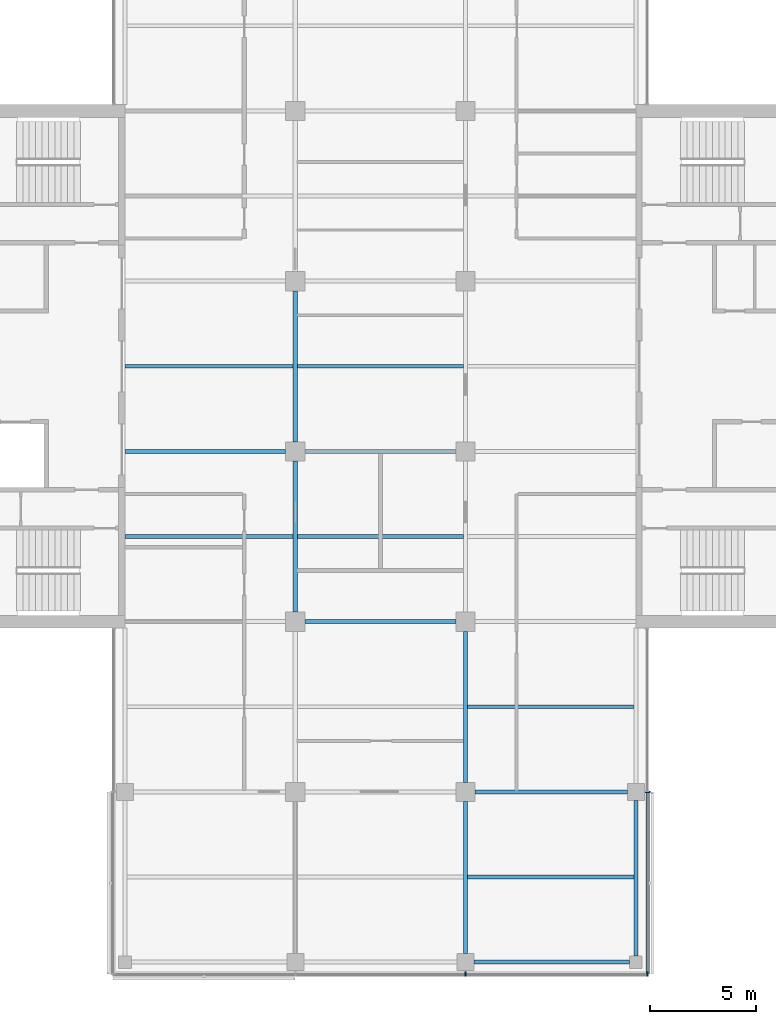
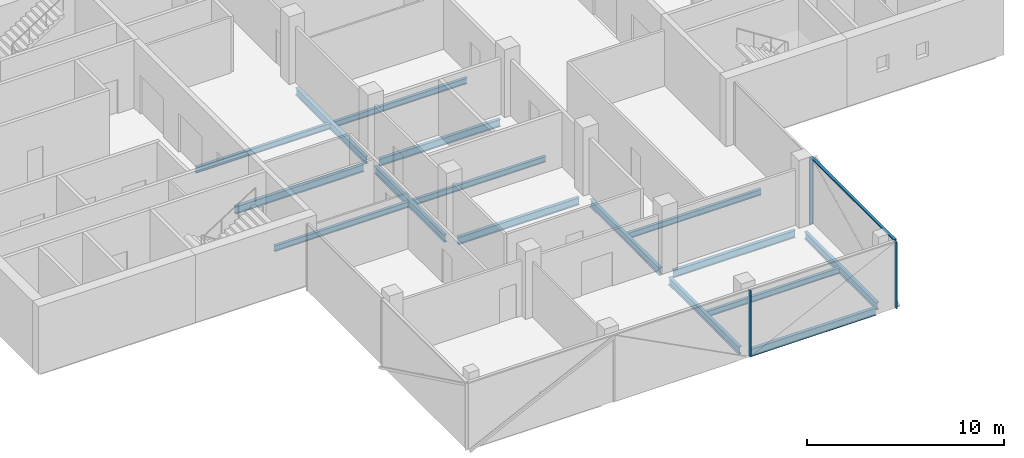
# One storey, part 3 of 15: 16 beams, 4 members, 2 elements without a shape of their own.
"""IFC4 building model written with IfcOpenShell, lengths in metres."""

from ifc_helpers import new_model, si_unit, direction, frame, origin, origin_2d, place, context, subcontext, project, spatial, rectangle, i_section, extrude, material, material_profile, profile_set, type_object, element, aggregate, save


model = new_model("IFC4")

# Units and contexts
model_context = context("Model", 3, precision=1e-05, world=origin(), true_north=direction((0.0, 1.0)))
body_context = subcontext(model_context, "Body", "Model", "MODEL_VIEW")
ifc_project = project(units=[si_unit("LENGTHUNIT", "METRE"), si_unit("AREAUNIT", "SQUARE_METRE"), si_unit("VOLUMEUNIT", "CUBIC_METRE"), si_unit("PLANEANGLEUNIT", "RADIAN"), si_unit("MASSUNIT", "GRAM", prefix="KILO")], contexts=[model_context])

# Site, building, storey
site_placement = place(None, origin())
site = spatial("IfcSite", under=ifc_project, at=site_placement, CompositionType="ELEMENT")
building_placement = place(site_placement, origin())
building = spatial("IfcBuilding", under=site, at=building_placement, Name="Crosswind Convention Tower", CompositionType="ELEMENT")
storey_placement = place(building_placement, frame((0.0, 0.0, 229.300048828125)))
storey = spatial("IfcBuildingStorey", under=building, at=storey_placement, Name="L49", CompositionType="ELEMENT", Elevation=229.300048828125)

# Beams
ifc_material_1 = material(Name="Steel S355", Category="steel")
ifc_material_profile_1 = material_profile(ifc_material_1, i_section(OverallWidth=0.18994140625, OverallDepth=0.45361328125, WebThickness=0.008544921875, FlangeThickness=0.0126953125, FilletRadius=0.01025390625, at=origin_2d()), Name="UB 457x191x67")
ifc_profile_set_1 = profile_set([ifc_material_profile_1], Name="Steel S355")
beam_type_1 = type_object("IfcBeamType", Name="Edge beam UB 457x191x67", PredefinedType="SPANDREL", material=ifc_profile_set_1)
for number, where, z_axis, x_axis, name in (
    (1, (129.39990234375, 72.0, -0.52685546875), (1.0, 0.0, 0.0), (0.0, 1.0, 0.0), "B16 L49 edge beam 9"),
    (2, (137.0, 72.300048828125, -0.52685546875), (0.0, 1.0, 0.0), (-1.0, 0.0, 0.0), "B16 L49 edge beam 11"),
):
    element("IfcBeam", number, at=place(storey_placement, frame(where, z_axis=z_axis, x_axis=x_axis)), inside=storey, type_object=beam_type_1, Name=name, PredefinedType="SPANDREL", context=body_context, shape_type="SweptSolid", body=[
        extrude(i_section(OverallWidth=0.18994140625, OverallDepth=0.45361328125, WebThickness=0.008544921875, FlangeThickness=0.0126953125, FilletRadius=0.01025390625, at=origin_2d()), origin(), (0.0, 0.0, 1.0), 7.300048828125),
    ])
ifc_material_profile_2 = material_profile(ifc_material_1, i_section(OverallWidth=0.1904296875, OverallDepth=0.457275390625, WebThickness=0.009033203125, FlangeThickness=0.014404296875, FilletRadius=0.01025390625, at=origin_2d()), Name="UB 457x191x75")
ifc_profile_set_2 = profile_set([ifc_material_profile_2], Name="Steel S355")
beam_type_2 = type_object("IfcBeamType", Name="Girder UB 457x191x75", PredefinedType="BEAM", material=ifc_profile_set_2)
for number, where, z_axis, x_axis, name in (
    (3, (121.0, 88.449951171875, -0.528564453125), (0.0, 1.0, 0.0), (-1.0, 0.0, 0.0), "B2 L49 girder 5"),
    (4, (121.0, 96.449951171875, -0.528564453125), (0.0, 1.0, 0.0), (-1.0, 0.0, 0.0), "B2 L49 girder 6"),
    (5, (121.449951171875, 88.0, -0.528564453125), (1.0, 0.0, 0.0), (0.0, 1.0, 0.0), "B2 L49 girder 11"),
    (6, (121.449951171875, 96.0, -0.528564453125), (1.0, 0.0, 0.0), (0.0, 1.0, 0.0), "B2 L49 girder 12"),
):
    element("IfcBeam", number, at=place(storey_placement, frame(where, z_axis=z_axis, x_axis=x_axis)), inside=storey, type_object=beam_type_2, Name=name, PredefinedType="BEAM", context=body_context, shape_type="SweptSolid", body=[
        extrude(i_section(OverallWidth=0.1904296875, OverallDepth=0.457275390625, WebThickness=0.009033203125, FlangeThickness=0.014404296875, FilletRadius=0.01025390625, at=origin_2d()), origin(), (0.0, 0.0, 1.0), 7.10009765625),
    ])
beam_1_placement = place(storey_placement, frame((129.0, 72.39990234375, -0.528564453125), z_axis=(0.0, 1.0, 0.0), x_axis=(-1.0, 0.0, 0.0)))
element("IfcBeam", 7, at=beam_1_placement, inside=storey, type_object=beam_type_2, Name="B2 L49 girder 16", PredefinedType="BEAM", context=body_context, shape_type="SweptSolid", body=[
    extrude(i_section(OverallWidth=0.1904296875, OverallDepth=0.457275390625, WebThickness=0.009033203125, FlangeThickness=0.014404296875, FilletRadius=0.01025390625, at=origin_2d()), origin(), (0.0, 0.0, 1.0), 7.150146484375),
])
beam_2_placement = place(storey_placement, frame((129.0, 80.449951171875, -0.528564453125), z_axis=(0.0, 1.0, 0.0), x_axis=(-1.0, 0.0, 0.0)))
element("IfcBeam", 8, at=beam_2_placement, inside=storey, type_object=beam_type_2, Name="B2 L49 girder 17", PredefinedType="BEAM", context=body_context, shape_type="SweptSolid", body=[
    extrude(i_section(OverallWidth=0.1904296875, OverallDepth=0.457275390625, WebThickness=0.009033203125, FlangeThickness=0.014404296875, FilletRadius=0.01025390625, at=origin_2d()), origin(), (0.0, 0.0, 1.0), 7.10009765625),
])
beam_3_placement = place(storey_placement, frame((129.449951171875, 80.0, -0.528564453125), z_axis=(1.0, 0.0, 0.0), x_axis=(0.0, 1.0, 0.0)))
element("IfcBeam", 9, at=beam_3_placement, inside=storey, type_object=beam_type_2, Name="B2 L49 girder 23", PredefinedType="BEAM", context=body_context, shape_type="SweptSolid", body=[
    extrude(i_section(OverallWidth=0.1904296875, OverallDepth=0.457275390625, WebThickness=0.009033203125, FlangeThickness=0.014404296875, FilletRadius=0.01025390625, at=origin_2d()), origin(), (0.0, 0.0, 1.0), 7.150146484375),
])
ifc_material_profile_3 = material_profile(ifc_material_1, i_section(OverallWidth=0.19140625, OverallDepth=0.460205078125, WebThickness=0.010009765625, FlangeThickness=0.01611328125, FilletRadius=0.01025390625, at=origin_2d()), Name="UB 457x191x82")
ifc_profile_set_3 = profile_set([ifc_material_profile_3], Name="Steel S355")
beam_type_3 = type_object("IfcBeamType", Name="Girder at core wall UB 457x191x82", PredefinedType="BEAM", material=ifc_profile_set_3)
beam_4_placement = place(storey_placement, frame((113.0, 96.0, -0.530029296875), z_axis=(1.0, 0.0, 0.0), x_axis=(0.0, 1.0, 0.0)))
element("IfcBeam", 10, at=beam_4_placement, inside=storey, type_object=beam_type_3, Name="B23 L49 girder at core wall 2", PredefinedType="BEAM", context=body_context, shape_type="SweptSolid", body=[
    extrude(i_section(OverallWidth=0.19140625, OverallDepth=0.460205078125, WebThickness=0.010009765625, FlangeThickness=0.01611328125, FilletRadius=0.01025390625, at=origin_2d()), origin(), (0.0, 0.0, 1.0), 7.550048828125),
])

# Curtain wall, members
ifc_material_2 = material(Name="Aluminium unitised curtain wall", Category="aluminium")
curtain_wall_type = type_object("IfcCurtainWallType", Name="OFFICE UNITISED WALL 220", PredefinedType="USERDEFINED", material=ifc_material_2)
curtain_wall_1_placement = place(storey_placement, origin())
curtain_wall_1 = element("IfcCurtainWall", 11, at=curtain_wall_1_placement, inside=storey, type_object=curtain_wall_type, Name="CW3 L49 S-TIP 1", ObjectType="UNITISED", PredefinedType="USERDEFINED")
ifc_material_3 = material(Name="Aluminium mullion", Category="aluminium")
ifc_material_profile_4 = material_profile(ifc_material_3, rectangle(XDim=0.219970703125, YDim=0.070068359375, at=origin_2d()), Name="AL 220X70")
ifc_profile_set_4 = profile_set([ifc_material_profile_4], Name="Aluminium mullion")
member_type_1 = type_object("IfcMemberType", Name="MULLION 70X220", PredefinedType="MULLION", material=ifc_profile_set_4)
member_1_placement = place(storey_placement, frame((129.0, 71.43994140625, -0.300048828125), z_axis=(0.0, 0.0, 1.0), x_axis=(0.0, -1.0, 0.0)))
member_1 = element("IfcMember", 12, at=member_1_placement, type_object=member_type_1, Name="CW3 mullion 3", PredefinedType="MULLION", context=body_context, shape_type="SweptSolid", body=[
    extrude(rectangle(XDim=0.219970703125, YDim=0.070068359375, at=origin_2d()), origin(), (0.0, 0.0, 1.0), 4.1298828125),
])
member_2_placement = place(storey_placement, frame((137.56005859375, 71.43994140625, -0.300048828125), z_axis=(0.0, 0.0, 1.0), x_axis=(0.0, -1.0, 0.0)))
member_2 = element("IfcMember", 13, at=member_2_placement, type_object=member_type_1, Name="CW3 mullion 4", PredefinedType="MULLION", context=body_context, shape_type="SweptSolid", body=[
    extrude(rectangle(XDim=0.219970703125, YDim=0.070068359375, at=origin_2d()), origin(), (0.0, 0.0, 1.0), 4.1298828125),
])
aggregate(curtain_wall_1, [member_1, member_2])

# Curtain wall, member
curtain_wall_2_placement = place(storey_placement, origin())
curtain_wall_2 = element("IfcCurtainWall", 14, at=curtain_wall_2_placement, inside=storey, type_object=curtain_wall_type, Name="CW3 L49 S-E 1", ObjectType="UNITISED", PredefinedType="USERDEFINED")
member_3_placement = place(storey_placement, frame((137.56005859375, 80.0, -0.300048828125), z_axis=(0.0, 0.0, 1.0), x_axis=(1.0, 0.0, 0.0)))
member_3 = element("IfcMember", 15, at=member_3_placement, type_object=member_type_1, Name="CW3 mullion 2", PredefinedType="MULLION", context=body_context, shape_type="SweptSolid", body=[
    extrude(rectangle(XDim=0.219970703125, YDim=0.070068359375, at=origin_2d()), origin(), (0.0, 0.0, 1.0), 4.1298828125),
])

# Beams
ifc_material_profile_5 = material_profile(ifc_material_1, i_section(OverallWidth=0.172119140625, OverallDepth=0.358642578125, WebThickness=0.008056640625, FlangeThickness=0.012939453125, FilletRadius=0.01025390625, at=origin_2d()), Name="UB 356x171x57")
ifc_profile_set_5 = profile_set([ifc_material_profile_5], Name="Steel S355")
beam_type_4 = type_object("IfcBeamType", Name="Secondary beam UB 356x171x57", PredefinedType="JOIST", material=ifc_profile_set_5)
for number, where, z_axis, x_axis, name in (
    (16, (113.0, 92.0, -0.479248046875), (1.0, 0.0, 0.0), (0.0, 1.0, 0.0), "B9 L49 secondary beam 1"),
    (17, (113.0, 100.0, -0.479248046875), (1.0, 0.0, 0.0), (0.0, 1.0, 0.0), "B9 L49 secondary beam 2"),
):
    element("IfcBeam", number, at=place(storey_placement, frame(where, z_axis=z_axis, x_axis=x_axis)), inside=storey, type_object=beam_type_4, Name=name, PredefinedType="JOIST", context=body_context, shape_type="SweptSolid", body=[
        extrude(i_section(OverallWidth=0.172119140625, OverallDepth=0.358642578125, WebThickness=0.008056640625, FlangeThickness=0.012939453125, FilletRadius=0.01025390625, at=origin_2d()), origin(), (0.0, 0.0, 1.0), 7.90478515625),
    ])
for number, where, z_axis, x_axis, name in (
    (18, (121.09521484375, 92.0, -0.479248046875), (1.0, 0.0, 0.0), (0.0, 1.0, 0.0), "B9 L49 secondary beam 10"),
    (19, (121.09521484375, 100.0, -0.479248046875), (1.0, 0.0, 0.0), (0.0, 1.0, 0.0), "B9 L49 secondary beam 11"),
):
    element("IfcBeam", number, at=place(storey_placement, frame(where, z_axis=z_axis, x_axis=x_axis)), inside=storey, type_object=beam_type_4, Name=name, PredefinedType="JOIST", context=body_context, shape_type="SweptSolid", body=[
        extrude(i_section(OverallWidth=0.172119140625, OverallDepth=0.358642578125, WebThickness=0.008056640625, FlangeThickness=0.012939453125, FilletRadius=0.01025390625, at=origin_2d()), origin(), (0.0, 0.0, 1.0), 7.8095703125),
    ])
for number, where, z_axis, x_axis, name in (
    (20, (129.09521484375, 76.0, -0.479248046875), (1.0, 0.0, 0.0), (0.0, 1.0, 0.0), "B9 L49 secondary beam 15"),
    (21, (129.09521484375, 84.0, -0.479248046875), (1.0, 0.0, 0.0), (0.0, 1.0, 0.0), "B9 L49 secondary beam 16"),
):
    element("IfcBeam", number, at=place(storey_placement, frame(where, z_axis=z_axis, x_axis=x_axis)), inside=storey, type_object=beam_type_4, Name=name, PredefinedType="JOIST", context=body_context, shape_type="SweptSolid", body=[
        extrude(i_section(OverallWidth=0.172119140625, OverallDepth=0.358642578125, WebThickness=0.008056640625, FlangeThickness=0.012939453125, FilletRadius=0.01025390625, at=origin_2d()), origin(), (0.0, 0.0, 1.0), 7.809814453125),
    ])

# Member
ifc_material_4 = material(Name="Aluminium transom", Category="aluminium")
ifc_material_profile_6 = material_profile(ifc_material_4, rectangle(XDim=0.159912109375, YDim=0.070068359375, at=origin_2d()), Name="AL 160X70")
ifc_profile_set_6 = profile_set([ifc_material_profile_6], Name="Aluminium transom")
member_type_2 = type_object("IfcMemberType", Name="TRANSOM 70X160", PredefinedType="USERDEFINED", material=ifc_profile_set_6)
member_4_placement = place(storey_placement, frame((137.56005859375, 71.47509765625, 3.864990234375), z_axis=(0.0, 1.0, 0.0), x_axis=(-1.0, 0.0, 0.0)))
member_4 = element("IfcMember", 22, at=member_4_placement, type_object=member_type_2, Name="CW3 transom", ObjectType="TRANSOM", PredefinedType="USERDEFINED", context=body_context, shape_type="SweptSolid", body=[
    extrude(rectangle(XDim=0.159912109375, YDim=0.070068359375, at=origin_2d()), origin(), (0.0, 0.0, 1.0), 8.489990234375),
])

aggregate(curtain_wall_2, [member_3, member_4])

save(model, "model.ifc")
